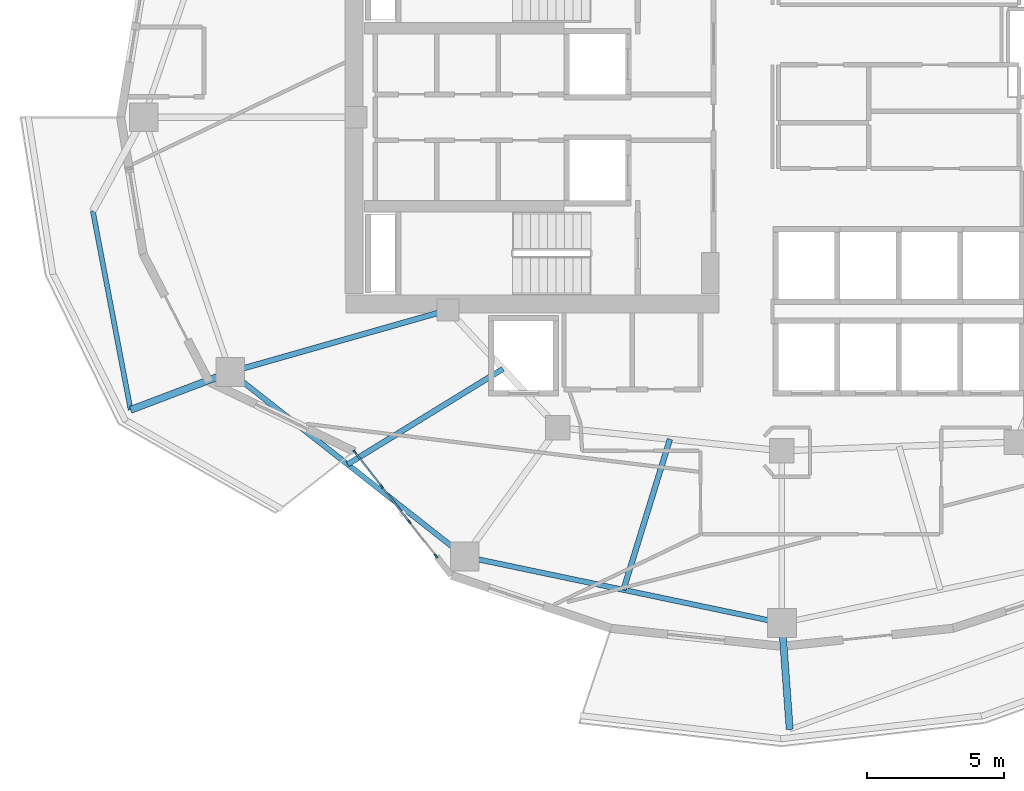
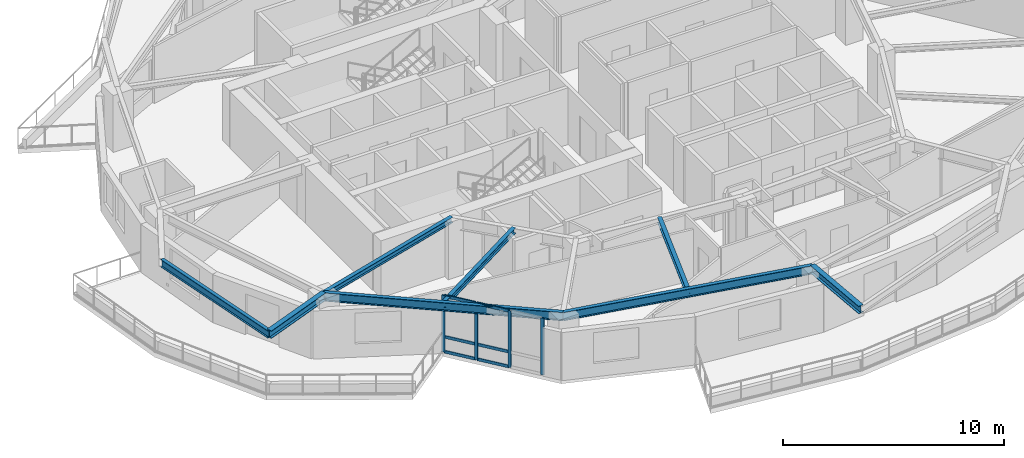
# One storey, part 2 of 19: 10 members, 8 beams, 1 element without a shape of its own.
"""IFC4 building model written with IfcOpenShell, lengths in metres."""

from ifc_helpers import new_model, si_unit, direction, frame, origin, origin_2d, place, context, subcontext, project, spatial, rectangle, i_section, extrude, material, layer, layer_set, material_profile, profile_set, type_object, element, aggregate, save


model = new_model("IFC4")

# Units and contexts
model_context = context("Model", 3, precision=1e-05, world=origin(), true_north=direction((0.0, 1.0)))
body_context = subcontext(model_context, "Body", "Model", "MODEL_VIEW")
ifc_project = project(units=[si_unit("LENGTHUNIT", "METRE"), si_unit("AREAUNIT", "SQUARE_METRE"), si_unit("VOLUMEUNIT", "CUBIC_METRE"), si_unit("PLANEANGLEUNIT", "RADIAN"), si_unit("MASSUNIT", "GRAM", prefix="KILO")], contexts=[model_context])

# Site, building, storey
site_placement = place(None, origin())
site = spatial("IfcSite", under=ifc_project, at=site_placement, CompositionType="ELEMENT")
building_placement = place(site_placement, origin())
building = spatial("IfcBuilding", under=site, at=building_placement, Name="Kolvaren Gate Tower and Convention Centre", CompositionType="ELEMENT")
storey_placement = place(building_placement, frame((0.0, 0.0, 122.300048828125)))
storey = spatial("IfcBuildingStorey", under=building, at=storey_placement, Name="L30", CompositionType="ELEMENT", Elevation=122.300048828125)

# Curtain wall, members
ifc_material_1 = material(Name="Anodized Architectural Aluminium Alloy 6063-T6", Category="aluminium")
ifc_layer = layer(ifc_material_1, 0.159912109375)
ifc_layer_set = layer_set([ifc_layer], Name="Anodized Architectural Aluminium Alloy 6063-T6")
curtain_wall_type = type_object("IfcCurtainWallType", Name="CW-HTL-UNIT", PredefinedType="NOTDEFINED", material=ifc_layer_set)
curtain_wall_placement = place(storey_placement, origin())
curtain_wall = element("IfcCurtainWall", 1, at=curtain_wall_placement, inside=storey, type_object=curtain_wall_type, Name="Tower L30 Unitised Curtain Wall CW-HTL-UNIT Bay 15", PredefinedType="NOTDEFINED")
ifc_material_profile_1 = material_profile(ifc_material_1, rectangle(XDim=0.06494140625, YDim=0.159912109375, at=origin_2d()), Name="CW-MEM-MUL-160")
ifc_profile_set_1 = profile_set([ifc_material_profile_1], Name="Anodized Architectural Aluminium Alloy 6063-T6")
member_type_1 = type_object("IfcMemberType", Name="CW-MEM-MUL-160", PredefinedType="MULLION", material=ifc_profile_set_1)
member_1_placement = place(storey_placement, frame((14.501220703125, 14.75146484375, 0.0), z_axis=(0.0, 0.0, 1.0), x_axis=(0.787410781966, 0.616428633699, 0.0)))
member_1 = element("IfcMember", 2, at=member_1_placement, type_object=member_type_1, Name="CW-03 mullion 1", PredefinedType="MULLION", context=body_context, shape_type="SweptSolid", body=[
    extrude(rectangle(XDim=0.06494140625, YDim=0.159912109375, at=origin_2d()), origin(), (0.0, 0.0, 1.0), 3.1298828125),
])
member_2_placement = place(storey_placement, frame((15.484619140625, 13.495361328125, 0.0), z_axis=(0.0, 0.0, 1.0), x_axis=(0.787410781966, 0.616428633699, 0.0)))
member_2 = element("IfcMember", 3, at=member_2_placement, type_object=member_type_1, Name="CW-03 mullion 2", PredefinedType="MULLION", context=body_context, shape_type="SweptSolid", body=[
    extrude(rectangle(XDim=0.06494140625, YDim=0.159912109375, at=origin_2d()), origin(), (0.0, 0.0, 1.0), 3.1298828125),
])
member_3_placement = place(storey_placement, frame((16.488037109375, 12.213623046875, 0.0), z_axis=(0.0, 0.0, 1.0), x_axis=(0.787410781966, 0.616428633699, 0.0)))
member_3 = element("IfcMember", 4, at=member_3_placement, type_object=member_type_1, Name="CW-03 mullion 3", PredefinedType="MULLION", context=body_context, shape_type="SweptSolid", body=[
    extrude(rectangle(XDim=0.06494140625, YDim=0.159912109375, at=origin_2d()), origin(), (0.0, 0.0, 1.0), 3.1298828125),
])
member_4_placement = place(storey_placement, frame((17.47119140625, 10.957763671875, 0.0), z_axis=(0.0, 0.0, 1.0), x_axis=(0.787410781966, 0.616428633699, 0.0)))
member_4 = element("IfcMember", 5, at=member_4_placement, type_object=member_type_1, Name="CW-03 mullion 4", PredefinedType="MULLION", context=body_context, shape_type="SweptSolid", body=[
    extrude(rectangle(XDim=0.06494140625, YDim=0.159912109375, at=origin_2d()), origin(), (0.0, 0.0, 1.0), 3.1298828125),
])
ifc_material_profile_2 = material_profile(ifc_material_1, rectangle(XDim=0.06494140625, YDim=0.159912109375, at=origin_2d()), Name="CW-MEM-TRN-160")
ifc_profile_set_2 = profile_set([ifc_material_profile_2], Name="Anodized Architectural Aluminium Alloy 6063-T6")
member_type_2 = type_object("IfcMemberType", Name="CW-MEM-TRN-160", PredefinedType="USERDEFINED", material=ifc_profile_set_2)
member_5_placement = place(storey_placement, frame((14.521484375, 14.725830078125, 0.032470703125), z_axis=(0.61639000373, -0.78744102211, 0.0), x_axis=(0.78744102211, 0.61639000373, 0.0)))
member_5 = element("IfcMember", 6, at=member_5_placement, type_object=member_type_2, Name="CW-03 transom 1.1", ObjectType="TRANSOM", PredefinedType="USERDEFINED", context=body_context, shape_type="SweptSolid", body=[
    extrude(rectangle(XDim=0.06494140625, YDim=0.159912109375, at=origin_2d()), origin(), (0.0, 0.0, 1.0), 1.530029296875),
])
member_6_placement = place(storey_placement, frame((14.521484375, 14.725830078125, 0.849853515625), z_axis=(0.61639000373, -0.78744102211, 0.0), x_axis=(0.78744102211, 0.61639000373, 0.0)))
member_6 = element("IfcMember", 7, at=member_6_placement, type_object=member_type_2, Name="CW-03 transom 1.2", ObjectType="TRANSOM", PredefinedType="USERDEFINED", context=body_context, shape_type="SweptSolid", body=[
    extrude(rectangle(XDim=0.06494140625, YDim=0.159912109375, at=origin_2d()), origin(), (0.0, 0.0, 1.0), 1.530029296875),
])
member_7_placement = place(storey_placement, frame((14.521484375, 14.725830078125, 3.097412109375), z_axis=(0.61639000373, -0.78744102211, 0.0), x_axis=(0.78744102211, 0.61639000373, 0.0)))
member_7 = element("IfcMember", 8, at=member_7_placement, type_object=member_type_2, Name="CW-03 transom 1.3", ObjectType="TRANSOM", PredefinedType="USERDEFINED", context=body_context, shape_type="SweptSolid", body=[
    extrude(rectangle(XDim=0.06494140625, YDim=0.159912109375, at=origin_2d()), origin(), (0.0, 0.0, 1.0), 1.530029296875),
])
member_8_placement = place(storey_placement, frame((15.504638671875, 13.4697265625, 0.032470703125), z_axis=(0.616468321189, -0.787379710794, 0.0), x_axis=(0.787379710794, 0.616468321189, 0.0)))
member_8 = element("IfcMember", 9, at=member_8_placement, type_object=member_type_2, Name="CW-03 transom 2.1", ObjectType="TRANSOM", PredefinedType="USERDEFINED", context=body_context, shape_type="SweptSolid", body=[
    extrude(rectangle(XDim=0.06494140625, YDim=0.159912109375, at=origin_2d()), origin(), (0.0, 0.0, 1.0), 1.562744140625),
])
member_9_placement = place(storey_placement, frame((15.504638671875, 13.4697265625, 0.849853515625), z_axis=(0.616468321189, -0.787379710794, 0.0), x_axis=(0.787379710794, 0.616468321189, 0.0)))
member_9 = element("IfcMember", 10, at=member_9_placement, type_object=member_type_2, Name="CW-03 transom 2.2", ObjectType="TRANSOM", PredefinedType="USERDEFINED", context=body_context, shape_type="SweptSolid", body=[
    extrude(rectangle(XDim=0.06494140625, YDim=0.159912109375, at=origin_2d()), origin(), (0.0, 0.0, 1.0), 1.562744140625),
])
member_10_placement = place(storey_placement, frame((15.504638671875, 13.4697265625, 3.097412109375), z_axis=(0.616468321189, -0.787379710794, 0.0), x_axis=(0.787379710794, 0.616468321189, 0.0)))
member_10 = element("IfcMember", 11, at=member_10_placement, type_object=member_type_2, Name="CW-03 transom 2.3", ObjectType="TRANSOM", PredefinedType="USERDEFINED", context=body_context, shape_type="SweptSolid", body=[
    extrude(rectangle(XDim=0.06494140625, YDim=0.159912109375, at=origin_2d()), origin(), (0.0, 0.0, 1.0), 1.562744140625),
])
aggregate(curtain_wall, [member_1, member_2, member_3, member_4, member_5, member_6, member_7, member_8, member_9, member_10])

# Beams
ifc_material_2 = material(Name="Structural steel ASTM A992 Grade 345 MPa", Category="steel")
ifc_material_profile_3 = material_profile(ifc_material_2, i_section(OverallWidth=0.260009765625, OverallDepth=0.419921875, WebThickness=0.013427734375, FlangeThickness=0.0224609375, at=origin_2d()), Name="W410X132")
ifc_profile_set_3 = profile_set([ifc_material_profile_3], Name="Structural steel ASTM A992 Grade 345 MPa")
beam_type_1 = type_object("IfcBeamType", Name="STR-BM-W410X132", PredefinedType="BEAM", material=ifc_profile_set_3)
for number, where, z_axis, x_axis, name in (
    (12, (9.94970703125, 17.681396484375, 2.92041015625), (-0.935054778076, -0.354503260912, 0.0), (0.354503260912, -0.935054778076, 0.0), "Tower L31 Planted Balcony Outrigger Cantilever BC-2B"),
    (13, (30.125, 8.5, 2.92041015625), (0.072866291763, -0.997341718532, 0.0), (0.997341718532, 0.072866291763, 0.0), "Tower L31 Planted Balcony Outrigger Cantilever BC-3A"),
):
    element("IfcBeam", number, at=place(storey_placement, frame(where, z_axis=z_axis, x_axis=x_axis)), inside=storey, type_object=beam_type_1, Name=name, PredefinedType="BEAM", context=body_context, shape_type="SweptSolid", body=[
        extrude(i_section(OverallWidth=0.260009765625, OverallDepth=0.419921875, WebThickness=0.013427734375, FlangeThickness=0.0224609375, at=origin_2d()), origin(), (0.0, 0.0, 1.0), 3.89990234375),
    ])
ifc_material_profile_4 = material_profile(ifc_material_2, i_section(OverallWidth=0.205078125, OverallDepth=0.31005859375, WebThickness=0.009521484375, FlangeThickness=0.016357421875, at=origin_2d()), Name="W310X74")
ifc_profile_set_4 = profile_set([ifc_material_profile_4], Name="Structural steel ASTM A992 Grade 345 MPa")
beam_type_2 = type_object("IfcBeamType", Name="STR-JS-W310X74", PredefinedType="JOIST", material=ifc_profile_set_4)
beam_1_placement = place(storey_placement, frame((17.9140625, 19.949951171875, 2.974853515625), z_axis=(-0.961746134311, -0.27394228067, 0.0), x_axis=(0.27394228067, -0.961746134311, 0.0)))
element("IfcBeam", 14, at=beam_1_placement, inside=storey, type_object=beam_type_2, Name="Tower L30 Radial Floor Girder RB-08", PredefinedType="JOIST", context=body_context, shape_type="SweptSolid", body=[
    extrude(i_section(OverallWidth=0.205078125, OverallDepth=0.31005859375, WebThickness=0.009521484375, FlangeThickness=0.016357421875, at=origin_2d()), origin(), (0.0, 0.0, 1.0), 8.28125),
])
beam_2_placement = place(storey_placement, frame((19.923095703125, 17.798828125, 2.974853515625), z_axis=(-0.852013723702, -0.523519450091, 0.0), x_axis=(0.523519450091, -0.852013723702, 0.0)))
element("IfcBeam", 15, at=beam_2_placement, inside=storey, type_object=beam_type_2, Name="Tower L30 Secondary Composite Floor Joist J-08.1", PredefinedType="JOIST", context=body_context, shape_type="SweptSolid", body=[
    extrude(i_section(OverallWidth=0.205078125, OverallDepth=0.31005859375, WebThickness=0.009521484375, FlangeThickness=0.016357421875, at=origin_2d()), origin(), (0.0, 0.0, 1.0), 6.671142578125),
])
beam_3_placement = place(storey_placement, frame((26.028564453125, 15.223876953125, 2.974853515625), z_axis=(-0.295174836894, -0.95544325612, 0.0), x_axis=(0.95544325612, -0.295174836894, 0.0)))
element("IfcBeam", 16, at=beam_3_placement, inside=storey, type_object=beam_type_2, Name="Tower L30 Secondary Composite Floor Joist J-09.1", PredefinedType="JOIST", context=body_context, shape_type="SweptSolid", body=[
    extrude(i_section(OverallWidth=0.205078125, OverallDepth=0.31005859375, WebThickness=0.009521484375, FlangeThickness=0.016357421875, at=origin_2d()), origin(), (0.0, 0.0, 1.0), 5.764892578125),
])
ifc_material_profile_5 = material_profile(ifc_material_2, i_section(OverallWidth=0.180908203125, OverallDepth=0.4169921875, WebThickness=0.010986328125, FlangeThickness=0.018310546875, at=origin_2d()), Name="W410X85")
ifc_profile_set_5 = profile_set([ifc_material_profile_5], Name="Structural steel ASTM A992 Grade 345 MPa")
beam_type_3 = type_object("IfcBeamType", Name="STR-SP-W410X85", PredefinedType="SPANDREL", material=ifc_profile_set_5)
beam_4_placement = place(storey_placement, frame((4.919921875, 23.576171875, 2.921875), z_axis=(0.186707724087, -0.982415505663, 0.0), x_axis=(0.982415505663, 0.186707724087, 0.0)))
element("IfcBeam", 17, at=beam_4_placement, inside=storey, type_object=beam_type_3, Name="Tower L31 Planted Balcony Header Tie Beam BT-2", PredefinedType="SPANDREL", context=body_context, shape_type="SweptSolid", body=[
    extrude(i_section(OverallWidth=0.180908203125, OverallDepth=0.4169921875, WebThickness=0.010986328125, FlangeThickness=0.018310546875, at=origin_2d()), origin(), (0.0, 0.0, 1.0), 7.40771484375),
])
ifc_material_profile_6 = material_profile(ifc_material_2, i_section(OverallWidth=0.194091796875, OverallDepth=0.468994140625, WebThickness=0.0126953125, FlangeThickness=0.0205078125, at=origin_2d()), Name="W460X106")
ifc_profile_set_6 = profile_set([ifc_material_profile_6], Name="Structural steel ASTM A992 Grade 345 MPa")
beam_type_4 = type_object("IfcBeamType", Name="STR-SP-W460X106", PredefinedType="SPANDREL", material=ifc_profile_set_6)
beam_5_placement = place(storey_placement, frame((9.94970703125, 17.681396484375, 2.8955078125), z_axis=(0.785907610354, -0.618343939881, 0.0), x_axis=(0.618343939881, 0.785907610354, 0.0)))
element("IfcBeam", 18, at=beam_5_placement, inside=storey, type_object=beam_type_4, Name="Tower L30 Perimeter Spandrel Beam SP-08", PredefinedType="SPANDREL", context=body_context, shape_type="SweptSolid", body=[
    extrude(i_section(OverallWidth=0.194091796875, OverallDepth=0.468994140625, WebThickness=0.0126953125, FlangeThickness=0.0205078125, at=origin_2d()), origin(), (0.0, 0.0, 1.0), 10.915771484375),
])
beam_6_placement = place(storey_placement, frame((18.528564453125, 10.931640625, 2.8955078125), z_axis=(0.978714746947, -0.205225349578, 0.0), x_axis=(0.205225349578, 0.978714746947, 0.0)))
element("IfcBeam", 19, at=beam_6_placement, inside=storey, type_object=beam_type_4, Name="Tower L30 Perimeter Spandrel Beam SP-09", PredefinedType="SPANDREL", context=body_context, shape_type="SweptSolid", body=[
    extrude(i_section(OverallWidth=0.194091796875, OverallDepth=0.468994140625, WebThickness=0.0126953125, FlangeThickness=0.0205078125, at=origin_2d()), origin(), (0.0, 0.0, 1.0), 11.8486328125),
])

save(model, "model.ifc")
